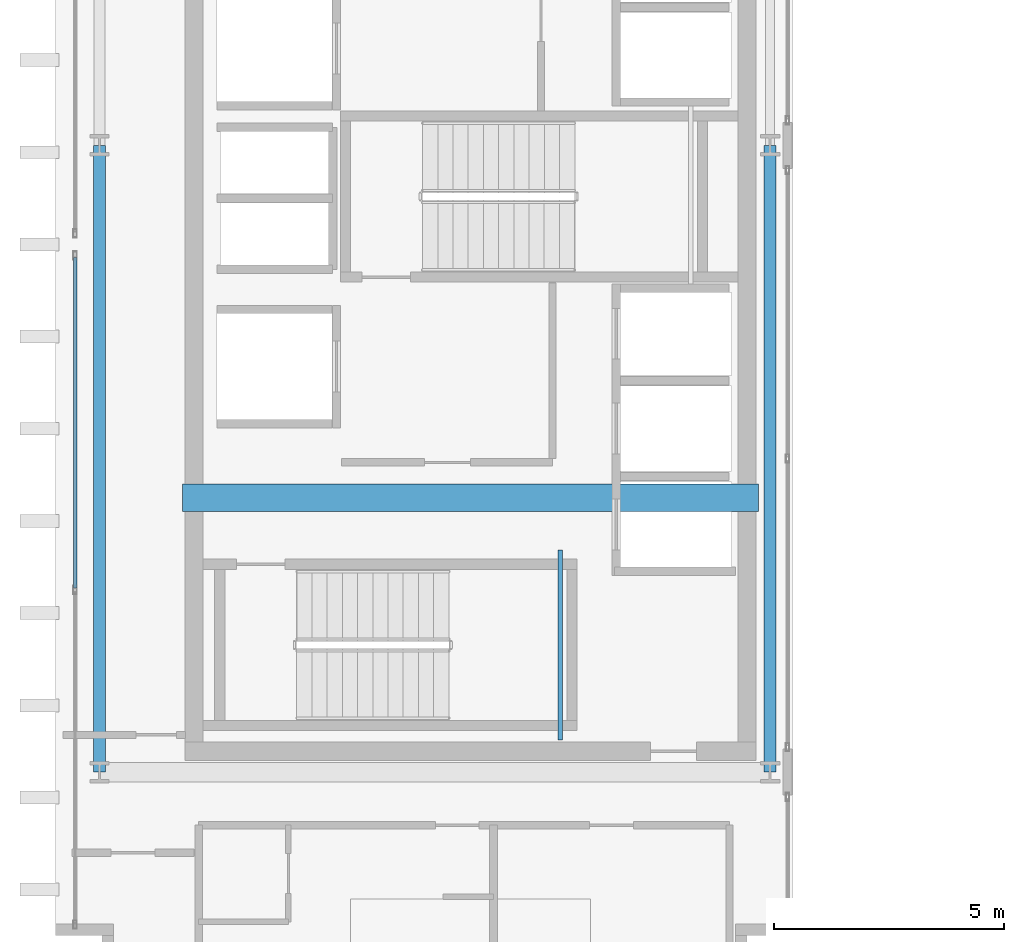
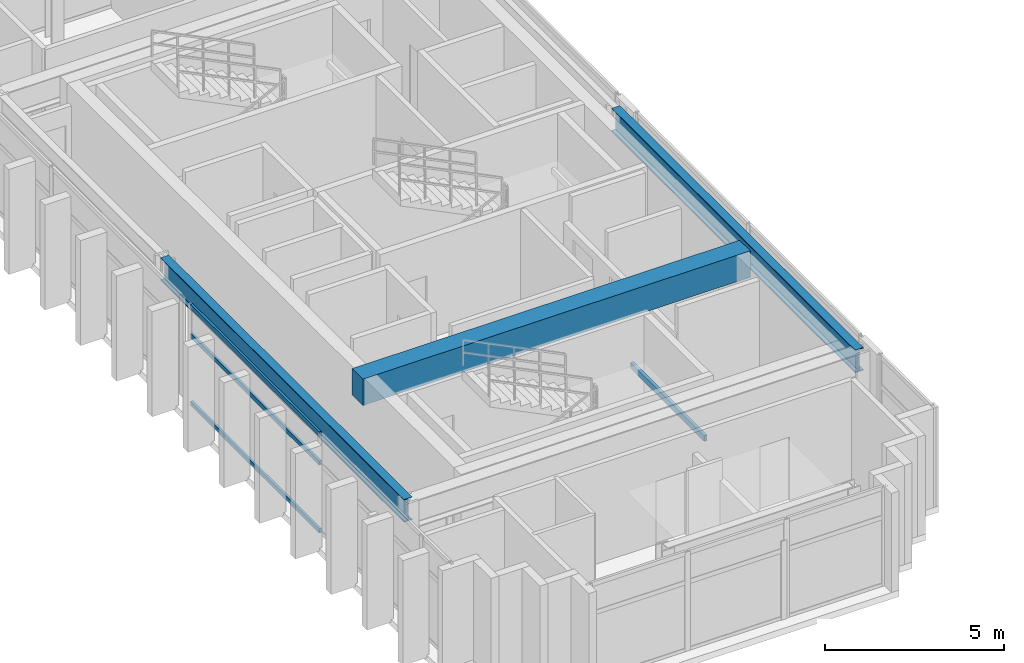
# One storey, part 3 of 25: 4 beams, 3 members, 1 element without a shape of its own.
"""IFC4 building model written with IfcOpenShell, lengths in metres."""

import ifcopenshell
import ifcopenshell.guid

model = None  # the IFC model being written
_history = None  # IfcOwnerHistory: only IFC2X3 demands one
_inside = {}  # id of a spatial element -> (the spatial element, [elements in it])
_under = {}  # id of a project, library or spatial element -> (it, [spatial elements below it])
_declared = {}  # id of a project -> (the project, [libraries it declares])
_typed = {}  # id of a type object -> (the type object, [elements of that type])
_made_of = {}  # id of a material, layer set ... -> (it, [elements and type objects made of it])


def new_model(schema):
    """Start an empty IFC model of exactly this schema.

    Asked for "IFC4X3", IfcOpenShell would pick the latest addendum, in which some entities
    have other attributes; the version numbers below select the first issue.
    IFC2X3 requires an IfcOwnerHistory on every rooted entity: one is made here for all.
    """
    global model, _history
    if schema == "IFC4X3":
        model = ifcopenshell.file(schema_version=(4, 3, 0, 0))
    else:
        model = ifcopenshell.file(schema=schema)
    _inside.clear()
    _under.clear()
    _declared.clear()
    _typed.clear()
    _made_of.clear()
    _history = None
    if model.schema == "IFC2X3":
        org = make("IfcOrganization", Name="unknown")
        user = make(
            "IfcPersonAndOrganization",
            ThePerson=make("IfcPerson", FamilyName="unknown"),
            TheOrganization=org,
        )
        app = make(
            "IfcApplication",
            ApplicationDeveloper=org,
            Version="unknown",
            ApplicationFullName="unknown",
            ApplicationIdentifier="unknown",
        )
        _history = make(
            "IfcOwnerHistory",
            OwningUser=user,
            OwningApplication=app,
            ChangeAction="ADDED",
            CreationDate=0,
        )
    return model


def make(cls, **values):
    """One entity of the class cls with the attributes given. An attribute that is None is left unset."""
    return model.create_entity(
        cls, **{name: value for name, value in values.items() if value is not None}
    )


def rooted(cls, **values):
    """An entity with a GlobalId (a new one), such as an element, a storey or a relation."""
    return make(cls, GlobalId=ifcopenshell.guid.new(), OwnerHistory=_history, **values)


def si_unit(unit_type, name, prefix=None):
    """IfcSIUnit, for example si_unit("LENGTHUNIT", "METRE", prefix="MILLI")."""
    return make("IfcSIUnit", UnitType=unit_type, Prefix=prefix, Name=name)


def assignment(units):
    """IfcUnitAssignment: the units of a project."""
    return None if units is None else make("IfcUnitAssignment", Units=units)


def point(xyz):
    """IfcCartesianPoint."""
    return None if xyz is None else make("IfcCartesianPoint", Coordinates=xyz)


def direction(xyz):
    """IfcDirection."""
    return None if xyz is None else make("IfcDirection", DirectionRatios=xyz)


def frame(location, z_axis=None, x_axis=None):
    """IfcAxis2Placement3D, a coordinate frame: its origin and axes. An axis left out is left unset."""
    return make(
        "IfcAxis2Placement3D",
        Location=point(location),
        Axis=direction(z_axis),
        RefDirection=direction(x_axis),
    )


def frame_2d(location, x_axis=None):
    """IfcAxis2Placement2D, a coordinate frame in the plane: its origin and x axis."""
    return make(
        "IfcAxis2Placement2D", Location=point(location), RefDirection=direction(x_axis)
    )


def origin():
    """The frame at (0, 0, 0) with its axes left unset."""
    return frame((0.0, 0.0, 0.0))


def origin_2d():
    """The frame at (0, 0) in the plane with its x axis left unset."""
    return frame_2d((0.0, 0.0))


def place(relative_to, where):
    """IfcLocalPlacement: puts the frame where relative to a parent placement (None: the world)."""
    return make(
        "IfcLocalPlacement", PlacementRelTo=relative_to, RelativePlacement=where
    )


def context(
    kind, dimensions, precision=None, world=None, true_north=None, identifier=None
):
    """IfcGeometricRepresentationContext, for example the 3D "Model" context."""
    return make(
        "IfcGeometricRepresentationContext",
        ContextIdentifier=identifier,
        ContextType=kind,
        CoordinateSpaceDimension=dimensions,
        Precision=precision,
        WorldCoordinateSystem=world,
        TrueNorth=true_north,
    )


def subcontext(parent, identifier, kind, view, scale=None):
    """IfcGeometricRepresentationSubContext, for example "Body" below "Model"."""
    return make(
        "IfcGeometricRepresentationSubContext",
        ContextIdentifier=identifier,
        ContextType=kind,
        ParentContext=parent,
        TargetScale=scale,
        TargetView=view,
    )


def project(units=None, contexts=None):
    """IfcProject with its units and contexts."""
    return rooted(
        "IfcProject",
        Name="project",
        RepresentationContexts=contexts,
        UnitsInContext=assignment(units),
    )


def spatial(cls, under=None, at=None, **own):
    """A site, building, storey or space (cls), placed at a placement, below another one or the project."""
    s = rooted(cls, ObjectPlacement=at, **own)
    if under is not None:
        _under.setdefault(under.id(), (under, []))[1].append(s)
    return s


def profile(cls, at=None, kind="AREA", **sizes):
    """A parametric profile (cls). Its sizes go by their IFC names, for example OverallWidth=200.0."""
    return make(cls, ProfileType=kind, Position=at, **sizes)


def rectangle(**sizes):
    """IfcRectangleProfileDef."""
    return profile("IfcRectangleProfileDef", **sizes)


def hollow_rectangle(**sizes):
    """IfcRectangleHollowProfileDef."""
    return profile("IfcRectangleHollowProfileDef", **sizes)


def i_section(**sizes):
    """IfcIShapeProfileDef."""
    return profile("IfcIShapeProfileDef", **sizes)


def extrude(swept, where, along, depth):
    """IfcExtrudedAreaSolid: the profile swept, set in the frame where, extruded along a direction by depth."""
    return make(
        "IfcExtrudedAreaSolid",
        SweptArea=swept,
        Position=where,
        ExtrudedDirection=direction(along),
        Depth=depth,
    )


def shape(context_of_items, identifier, shape_type, items):
    """IfcShapeRepresentation: the items that make up one representation, for example the "Body"."""
    return make(
        "IfcShapeRepresentation",
        ContextOfItems=context_of_items,
        RepresentationIdentifier=identifier,
        RepresentationType=shape_type,
        Items=items,
    )


def source(mapping_origin, context_of_items, identifier, shape_type, items):
    """IfcRepresentationMap: a shape defined once, which mapped items show again and again."""
    return make(
        "IfcRepresentationMap",
        MappingOrigin=mapping_origin,
        MappedRepresentation=shape(context_of_items, identifier, shape_type, items),
    )


def transform(
    local_origin,
    x_axis=None,
    y_axis=None,
    z_axis=None,
    scale=None,
    scale2=None,
    scale3=None,
    uniform=True,
):
    """IfcCartesianTransformationOperator3D, or its non-uniform kind. x_axis, y_axis, z_axis: its Axis1, 2, 3."""
    if uniform:
        return make(
            "IfcCartesianTransformationOperator3D",
            Axis1=direction(x_axis),
            Axis2=direction(y_axis),
            LocalOrigin=point(local_origin),
            Scale=scale,
            Axis3=direction(z_axis),
        )
    return make(
        "IfcCartesianTransformationOperator3DnonUniform",
        Axis1=direction(x_axis),
        Axis2=direction(y_axis),
        LocalOrigin=point(local_origin),
        Scale=scale,
        Axis3=direction(z_axis),
        Scale2=scale2,
        Scale3=scale3,
    )


def mapped(mapping_source, mapping_target):
    """IfcMappedItem: shows the shape of a source again, moved by a transform."""
    return make(
        "IfcMappedItem", MappingSource=mapping_source, MappingTarget=mapping_target
    )


def material(Name=None, Category=None):
    """IfcMaterial."""
    return make("IfcMaterial", Name=Name, Category=Category)


def layer(
    of_material, thickness, ventilated=None, Name=None, Category=None, Priority=None
):
    """IfcMaterialLayer: one layer of a wall or slab, of a material (None: an air gap)."""
    return make(
        "IfcMaterialLayer",
        Material=of_material,
        LayerThickness=thickness,
        IsVentilated=ventilated,
        Name=Name,
        Category=Category,
        Priority=Priority,
    )


def layer_set(layers, Name=None):
    """IfcMaterialLayerSet."""
    return make("IfcMaterialLayerSet", MaterialLayers=layers, LayerSetName=Name)


def material_profile(
    of_material, cross_section, Name=None, Category=None, Priority=None
):
    """IfcMaterialProfile: a cross section and its material."""
    return make(
        "IfcMaterialProfile",
        Name=Name,
        Material=of_material,
        Profile=cross_section,
        Priority=Priority,
        Category=Category,
    )


def profile_set(profiles, Name=None, composite=None):
    """IfcMaterialProfileSet."""
    return make(
        "IfcMaterialProfileSet",
        Name=Name,
        MaterialProfiles=profiles,
        CompositeProfile=composite,
    )


def made_of(thing, what):
    """Note that an element or type object is made of a material, layer set ...; save() writes the relation."""
    if what is not None:
        _made_of.setdefault(what.id(), (what, []))[1].append(thing)
    return thing


def type_object(cls, material=None, **own):
    """A type object (cls), such as IfcWallType, which elements share."""
    return made_of(rooted(cls, **own), material)


def element(
    cls,
    number,
    at=None,
    inside=None,
    cuts=None,
    type_object=None,
    material=None,
    context=None,
    identifier="Body",
    shape_type=None,
    held_by="IfcProductDefinitionShape",
    body=None,
    shapes=None,
    **own,
):
    """One element of the class cls, such as IfcWall. Its Tag is "e" and its number.

    at: its placement. inside: the storey or other place that contains it. cuts: it is an
    opening in that element (IfcRelVoidsElement). A single representation is given by context,
    identifier, shape_type and body (its items); several are given by shapes. held_by: the class
    of the entity that holds the representations. save() writes the other relations.
    """
    e = rooted(cls, Tag="e%d" % number, ObjectPlacement=at, **own)
    if body is not None:
        shapes = [shape(context, identifier, shape_type, body)]
    if shapes is not None:
        e.Representation = make(held_by, Representations=shapes)
    if inside is not None:
        _inside.setdefault(inside.id(), (inside, []))[1].append(e)
    if cuts is not None:
        rooted(
            "IfcRelVoidsElement", RelatingBuildingElement=cuts, RelatedOpeningElement=e
        )
    if type_object is not None:
        _typed.setdefault(type_object.id(), (type_object, []))[1].append(e)
    return made_of(e, material)


def aggregate(whole, parts):
    """IfcRelAggregates: a whole, such as a stair, and the parts it consists of."""
    return rooted("IfcRelAggregates", RelatingObject=whole, RelatedObjects=parts)


def save(model, path):
    """Write the relations noted so far, then the file.

    IfcRelAggregates (storeys below a building ...), IfcRelContainedInSpatialStructure (elements
    in a storey), IfcRelDefinesByType, IfcRelAssociatesMaterial and IfcRelDeclares: one each for
    every whole, place, type object, material and project.
    """
    for whole, parts in _under.values():
        aggregate(whole, parts)
    for where, things in _inside.values():
        rooted(
            "IfcRelContainedInSpatialStructure",
            RelatedElements=things,
            RelatingStructure=where,
        )
    for kind, things in _typed.values():
        rooted("IfcRelDefinesByType", RelatedObjects=things, RelatingType=kind)
    for what, things in _made_of.values():
        rooted("IfcRelAssociatesMaterial", RelatedObjects=things, RelatingMaterial=what)
    for by, libraries in _declared.values():
        rooted("IfcRelDeclares", RelatingContext=by, RelatedDefinitions=libraries)
    model.write(path)


model = new_model("IFC4")

# Units and contexts
model_context = context("Model", 3, precision=1e-05, world=origin(), true_north=direction((0.0, 1.0)))
body_context = subcontext(model_context, "Body", "Model", "MODEL_VIEW")
ifc_project = project(units=[si_unit("LENGTHUNIT", "METRE"), si_unit("AREAUNIT", "SQUARE_METRE"), si_unit("VOLUMEUNIT", "CUBIC_METRE"), si_unit("PLANEANGLEUNIT", "RADIAN"), si_unit("MASSUNIT", "GRAM", prefix="KILO")], contexts=[model_context])

# Site, building, storey
site_placement = place(None, origin())
site = spatial("IfcSite", under=ifc_project, at=site_placement, CompositionType="ELEMENT")
building_placement = place(site_placement, origin())
building = spatial("IfcBuilding", under=site, at=building_placement, Name="Ocotamira Hotel", CompositionType="ELEMENT")
storey_placement = place(building_placement, frame((0.0, 0.0, 258.0)))
storey = spatial("IfcBuildingStorey", under=building, at=storey_placement, Name="L65", CompositionType="ELEMENT", Elevation=258.0)

# Beams
ifc_material_1 = material(Name="Concrete C50/60", Category="concrete")
ifc_material_profile_1 = material_profile(ifc_material_1, rectangle(XDim=0.60009765625, YDim=0.89990234375, at=origin_2d()), Name="RC600X900")
ifc_profile_set_1 = profile_set([ifc_material_profile_1], Name="Concrete C50/60")
beam_type_1 = type_object("IfcBeamType", Name="BM-LINK-RC600", PredefinedType="LINTEL", material=ifc_profile_set_1)
shared_shape_1 = source(origin(), body_context, "Body", "SweptSolid", [
    extrude(rectangle(XDim=0.60009765625, YDim=0.89990234375, at=origin_2d()), origin(), (0.0, 0.0, 1.0), 12.5),
])
beam_1_placement = place(storey_placement, frame((10.75, 20.5, 2.929931640625), z_axis=(1.0, 0.0, 0.0), x_axis=(0.0, 1.0, 0.0)))
element("IfcBeam", 1, at=beam_1_placement, inside=storey, type_object=beam_type_1, Name="L65 West Core Coupling Beam", PredefinedType="LINTEL", context=body_context, shape_type="MappedRepresentation", body=[
    mapped(shared_shape_1, transform((0.0, 0.0, 0.0), scale=1.0)),
])
ifc_material_2 = material(Name="Steel ASTM A500 Grade C", Category="steel")
ifc_material_profile_2 = material_profile(ifc_material_2, hollow_rectangle(XDim=0.10009765625, YDim=0.199951171875, WallThickness=0.008056640625, at=origin_2d()), Name="HSS200X100X8")
ifc_profile_set_2 = profile_set([ifc_material_profile_2], Name="Steel ASTM A500 Grade C")
beam_type_2 = type_object("IfcBeamType", Name="BM-STLDG-HSS200", PredefinedType="BEAM", material=ifc_profile_set_2)
shared_shape_2 = source(origin(), body_context, "Body", "SweptSolid", [
    extrude(hollow_rectangle(XDim=0.10009765625, YDim=0.199951171875, WallThickness=0.008056640625, at=origin_2d()), origin(), (0.0, 0.0, 1.0), 4.1201171875),
])
beam_2_placement = place(storey_placement, frame((18.949951171875, 15.25, 1.5), z_axis=(0.0, 1.0, 0.0), x_axis=(-1.0, 0.0, 0.0)))
element("IfcBeam", 2, at=beam_2_placement, inside=storey, type_object=beam_type_2, Name="L65 Stair ST-1 Landing Bearer 1", PredefinedType="BEAM", context=body_context, shape_type="MappedRepresentation", body=[
    mapped(shared_shape_2, transform((0.0, 0.0, 0.0), scale=1.0)),
])
ifc_material_3 = material(Name="Steel ASTM A992 Grade 50", Category="steel")
ifc_material_profile_3 = material_profile(ifc_material_3, i_section(OverallWidth=0.26611328125, OverallDepth=0.779052734375, WebThickness=0.0166015625, FlangeThickness=0.030029296875, FilletRadius=0.01806640625, at=origin_2d()), Name="W30X148")
ifc_profile_set_3 = profile_set([ifc_material_profile_3], Name="Steel ASTM A992 Grade 50")
beam_type_3 = type_object("IfcBeamType", Name="BM-GIRD-W30X148", PredefinedType="BEAM", material=ifc_profile_set_3)
shared_shape_3 = source(origin(), body_context, "Body", "SweptSolid", [
    extrude(i_section(OverallWidth=0.26611328125, OverallDepth=0.779052734375, WebThickness=0.0166015625, FlangeThickness=0.030029296875, FilletRadius=0.01806640625, at=origin_2d()), origin(), (0.0, 0.0, 1.0), 13.599853515625),
])
for number, where, z_axis, x_axis, name in (
    (3, (8.949951171875, 14.550048828125, 2.990478515625), (0.0, 1.0, 0.0), (-1.0, 0.0, 0.0), "L65 Beam X8.95 Y14.55-28.15"),
    (4, (23.5, 14.550048828125, 2.990478515625), (0.0, 1.0, 0.0), (-1.0, 0.0, 0.0), "L65 Beam X23.5 Y14.55-28.15"),
):
    element("IfcBeam", number, at=place(storey_placement, frame(where, z_axis=z_axis, x_axis=x_axis)), inside=storey, type_object=beam_type_3, Name=name, PredefinedType="BEAM", context=body_context, shape_type="MappedRepresentation", body=[
        mapped(shared_shape_3, transform((0.0, 0.0, 0.0), scale=1.0)),
    ])

# Curtain wall, members
ifc_material_4 = material(Name="Anodised pale-metal aluminium and solar glass", Category="aluminium")
ifc_layer = layer(ifc_material_4, 0.2099609375)
ifc_layer_set = layer_set([ifc_layer], Name="Anodised pale-metal aluminium and solar glass")
curtain_wall_type = type_object("IfcCurtainWallType", Name="CW-SYS7-PEAK", PredefinedType="NOTDEFINED", material=ifc_layer_set)
curtain_wall_placement = place(storey_placement, origin())
curtain_wall = element("IfcCurtainWall", 5, at=curtain_wall_placement, inside=storey, type_object=curtain_wall_type, Name="L65 Curtain Wall CW-7 CW-L65-WO1", PredefinedType="NOTDEFINED")
ifc_material_5 = material(Name="Anodised pale-metal aluminium 6063-T6", Category="aluminium")
ifc_material_profile_4 = material_profile(ifc_material_5, hollow_rectangle(XDim=0.074951171875, YDim=0.14990234375, WallThickness=0.006103515625, at=origin_2d()), Name="HSS150X75X6")
ifc_profile_set_4 = profile_set([ifc_material_profile_4], Name="Anodised pale-metal aluminium 6063-T6")
member_type = type_object("IfcMemberType", Name="CWT-150X75", PredefinedType="USERDEFINED", material=ifc_profile_set_4)
shared_shape_4 = source(origin(), body_context, "Body", "SweptSolid", [
    extrude(hollow_rectangle(XDim=0.074951171875, YDim=0.14990234375, WallThickness=0.006103515625, at=origin_2d()), origin(), (0.0, 0.0, 1.0), 7.179931640625),
])
member_1_placement = place(storey_placement, frame((8.419921875, 18.5400390625, 0.03759765625), z_axis=(0.0, 1.0, 0.0), x_axis=(-1.0, 0.0, 0.0)))
member_1 = element("IfcMember", 6, at=member_1_placement, type_object=member_type, Name="CW-7 transom 2.1", ObjectType="TRANSOM", PredefinedType="USERDEFINED", context=body_context, shape_type="MappedRepresentation", body=[
    mapped(shared_shape_4, transform((0.0, 0.0, 0.0), scale=1.0)),
])
member_2_placement = place(storey_placement, frame((8.419921875, 18.5400390625, 2.35009765625), z_axis=(0.0, 1.0, 0.0), x_axis=(-1.0, 0.0, 0.0)))
member_2 = element("IfcMember", 7, at=member_2_placement, type_object=member_type, Name="CW-7 transom 2.2", ObjectType="TRANSOM", PredefinedType="USERDEFINED", context=body_context, shape_type="MappedRepresentation", body=[
    mapped(shared_shape_4, transform((0.0, 0.0, 0.0), scale=1.0)),
])
member_3_placement = place(storey_placement, frame((8.419921875, 18.5400390625, 3.342529296875), z_axis=(0.0, 1.0, 0.0), x_axis=(-1.0, 0.0, 0.0)))
member_3 = element("IfcMember", 8, at=member_3_placement, type_object=member_type, Name="CW-7 transom 2.3", ObjectType="TRANSOM", PredefinedType="USERDEFINED", context=body_context, shape_type="MappedRepresentation", body=[
    mapped(shared_shape_4, transform((0.0, 0.0, 0.0), scale=1.0)),
])
aggregate(curtain_wall, [member_1, member_2, member_3])

save(model, "model.ifc")
